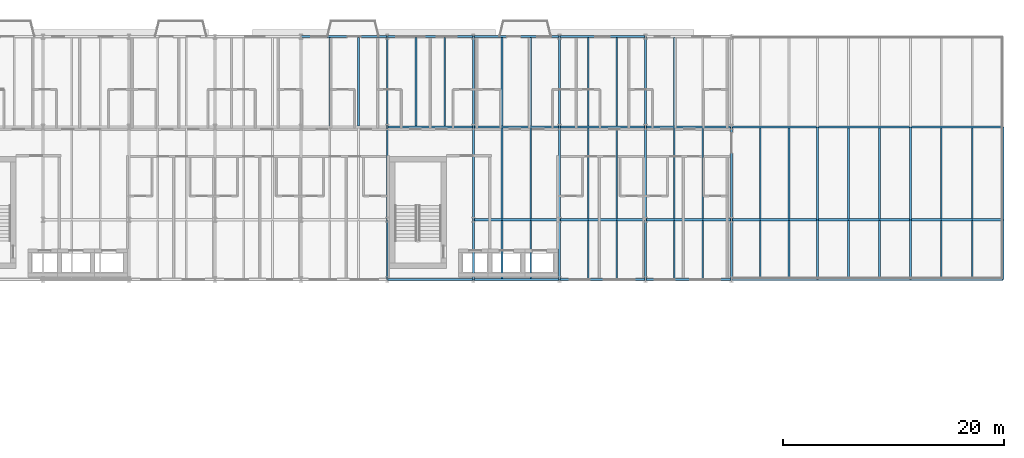
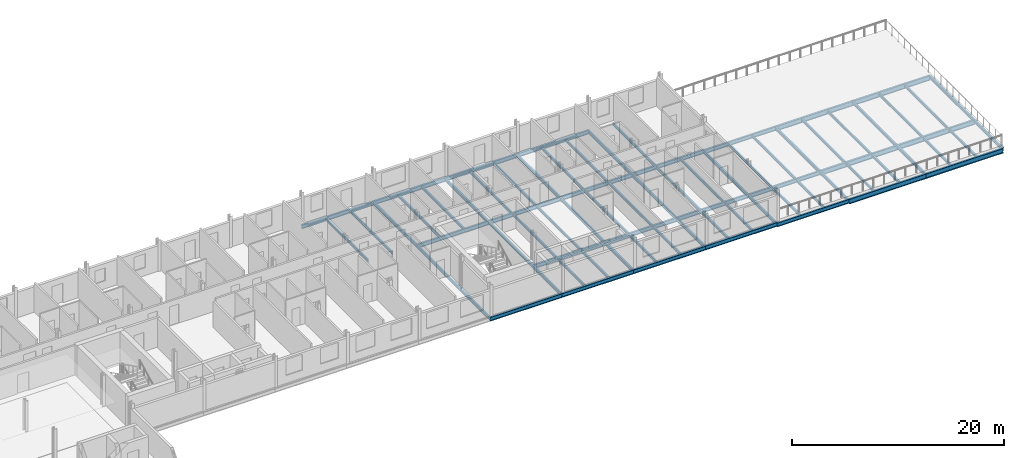
# One storey, part 9 of 30: 77 beams.
"""IFC4 building model written with IfcOpenShell, lengths in metres."""

from ifc_helpers import new_model, si_unit, direction, frame, origin, origin_2d, place, context, subcontext, project, spatial, i_section, extrude, material, material_profile, profile_set, type_object, element, save


model = new_model("IFC4")

# Units and contexts
model_context = context("Model", 3, precision=1e-05, world=origin(), true_north=direction((0.0, 1.0)))
body_context = subcontext(model_context, "Body", "Model", "MODEL_VIEW")
ifc_project = project(units=[si_unit("LENGTHUNIT", "METRE"), si_unit("AREAUNIT", "SQUARE_METRE"), si_unit("VOLUMEUNIT", "CUBIC_METRE"), si_unit("PLANEANGLEUNIT", "RADIAN"), si_unit("MASSUNIT", "GRAM", prefix="KILO")], contexts=[model_context])

# Site, building, storey
site_placement = place(None, origin())
site = spatial("IfcSite", under=ifc_project, at=site_placement, CompositionType="ELEMENT")
building_placement = place(site_placement, origin())
building = spatial("IfcBuilding", under=site, at=building_placement, Name="Sefraquen Railside Congress Hotel", CompositionType="ELEMENT")
storey_placement = place(building_placement, frame((0.0, 0.0, 35.39990234375)))
storey = spatial("IfcBuildingStorey", under=building, at=storey_placement, Name="L08", CompositionType="ELEMENT", Elevation=35.39990234375)

# Beams
ifc_material = material(Name="Steel S355JR", Category="steel")
ifc_material_profile_1 = material_profile(ifc_material, i_section(OverallWidth=0.169921875, OverallDepth=0.360107421875, WebThickness=0.008056640625, FlangeThickness=0.0126953125, FilletRadius=0.01806640625, at=origin_2d()), Name="IPE 360")
ifc_profile_set_1 = profile_set([ifc_material_profile_1], Name="Steel S355JR")
beam_type_1 = type_object("IfcBeamType", Name="TB-BM-360", PredefinedType="BEAM", material=ifc_profile_set_1)
beam_1_placement = place(storey_placement, frame((64.199951171875, 96.0, -0.419921875), z_axis=(0.0, 1.0, 0.0), x_axis=(-1.0, 0.0, 0.0)))
element("IfcBeam", 1, at=beam_1_placement, inside=storey, type_object=beam_type_1, Name="Floor beam BM-L08-1925", PredefinedType="BEAM", context=body_context, shape_type="SweptSolid", body=[
    extrude(i_section(OverallWidth=0.169921875, OverallDepth=0.360107421875, WebThickness=0.008056640625, FlangeThickness=0.0126953125, FilletRadius=0.01806640625, at=origin_2d()), origin(), (0.0, 0.0, 1.0), 5.39990234375),
])
beam_2_placement = place(storey_placement, frame((64.199951171875, 101.39990234375, -0.419921875), z_axis=(0.0, 1.0, 0.0), x_axis=(-1.0, 0.0, 0.0)))
element("IfcBeam", 2, at=beam_2_placement, inside=storey, type_object=beam_type_1, Name="Floor beam BM-L08-1926", PredefinedType="BEAM", context=body_context, shape_type="SweptSolid", body=[
    extrude(i_section(OverallWidth=0.169921875, OverallDepth=0.360107421875, WebThickness=0.008056640625, FlangeThickness=0.0126953125, FilletRadius=0.01806640625, at=origin_2d()), origin(), (0.0, 0.0, 1.0), 8.400146484375),
])
beam_3_placement = place(storey_placement, frame((64.199951171875, 109.800048828125, -0.419921875), z_axis=(0.0, 1.0, 0.0), x_axis=(-1.0, 0.0, 0.0)))
element("IfcBeam", 3, at=beam_3_placement, inside=storey, type_object=beam_type_1, Name="Floor beam BM-L08-1927", PredefinedType="BEAM", context=body_context, shape_type="SweptSolid", body=[
    extrude(i_section(OverallWidth=0.169921875, OverallDepth=0.360107421875, WebThickness=0.008056640625, FlangeThickness=0.0126953125, FilletRadius=0.01806640625, at=origin_2d()), origin(), (0.0, 0.0, 1.0), 8.199951171875),
])
beam_4_placement = place(storey_placement, frame((72.0, 96.0, -0.419921875), z_axis=(0.0, 1.0, 0.0), x_axis=(-1.0, 0.0, 0.0)))
element("IfcBeam", 4, at=beam_4_placement, inside=storey, type_object=beam_type_1, Name="Floor beam BM-L08-1928", PredefinedType="BEAM", context=body_context, shape_type="SweptSolid", body=[
    extrude(i_section(OverallWidth=0.169921875, OverallDepth=0.360107421875, WebThickness=0.008056640625, FlangeThickness=0.0126953125, FilletRadius=0.01806640625, at=origin_2d()), origin(), (0.0, 0.0, 1.0), 5.39990234375),
])
beam_5_placement = place(storey_placement, frame((72.0, 101.39990234375, -0.419921875), z_axis=(0.0, 1.0, 0.0), x_axis=(-1.0, 0.0, 0.0)))
element("IfcBeam", 5, at=beam_5_placement, inside=storey, type_object=beam_type_1, Name="Floor beam BM-L08-1929", PredefinedType="BEAM", context=body_context, shape_type="SweptSolid", body=[
    extrude(i_section(OverallWidth=0.169921875, OverallDepth=0.360107421875, WebThickness=0.008056640625, FlangeThickness=0.0126953125, FilletRadius=0.01806640625, at=origin_2d()), origin(), (0.0, 0.0, 1.0), 8.400146484375),
])
beam_6_placement = place(storey_placement, frame((72.0, 109.800048828125, -0.419921875), z_axis=(0.0, 1.0, 0.0), x_axis=(-1.0, 0.0, 0.0)))
element("IfcBeam", 6, at=beam_6_placement, inside=storey, type_object=beam_type_1, Name="Floor beam BM-L08-1930", PredefinedType="BEAM", context=body_context, shape_type="SweptSolid", body=[
    extrude(i_section(OverallWidth=0.169921875, OverallDepth=0.360107421875, WebThickness=0.008056640625, FlangeThickness=0.0126953125, FilletRadius=0.01806640625, at=origin_2d()), origin(), (0.0, 0.0, 1.0), 8.199951171875),
])
beam_7_placement = place(storey_placement, frame((79.800048828125, 96.0, -0.419921875), z_axis=(0.0, 1.0, 0.0), x_axis=(-1.0, 0.0, 0.0)))
element("IfcBeam", 7, at=beam_7_placement, inside=storey, type_object=beam_type_1, Name="Floor beam BM-L08-1931", PredefinedType="BEAM", context=body_context, shape_type="SweptSolid", body=[
    extrude(i_section(OverallWidth=0.169921875, OverallDepth=0.360107421875, WebThickness=0.008056640625, FlangeThickness=0.0126953125, FilletRadius=0.01806640625, at=origin_2d()), origin(), (0.0, 0.0, 1.0), 5.39990234375),
])
beam_8_placement = place(storey_placement, frame((79.800048828125, 101.39990234375, -0.419921875), z_axis=(0.0, 1.0, 0.0), x_axis=(-1.0, 0.0, 0.0)))
element("IfcBeam", 8, at=beam_8_placement, inside=storey, type_object=beam_type_1, Name="Floor beam BM-L08-1932", PredefinedType="BEAM", context=body_context, shape_type="SweptSolid", body=[
    extrude(i_section(OverallWidth=0.169921875, OverallDepth=0.360107421875, WebThickness=0.008056640625, FlangeThickness=0.0126953125, FilletRadius=0.01806640625, at=origin_2d()), origin(), (0.0, 0.0, 1.0), 8.400146484375),
])
beam_9_placement = place(storey_placement, frame((79.800048828125, 109.800048828125, -0.419921875), z_axis=(0.0, 1.0, 0.0), x_axis=(-1.0, 0.0, 0.0)))
element("IfcBeam", 9, at=beam_9_placement, inside=storey, type_object=beam_type_1, Name="Floor beam BM-L08-1933", PredefinedType="BEAM", context=body_context, shape_type="SweptSolid", body=[
    extrude(i_section(OverallWidth=0.169921875, OverallDepth=0.360107421875, WebThickness=0.008056640625, FlangeThickness=0.0126953125, FilletRadius=0.01806640625, at=origin_2d()), origin(), (0.0, 0.0, 1.0), 8.199951171875),
])
beam_10_placement = place(storey_placement, frame((87.60009765625, 96.0, -0.419921875), z_axis=(0.0, 1.0, 0.0), x_axis=(-1.0, 0.0, 0.0)))
element("IfcBeam", 10, at=beam_10_placement, inside=storey, type_object=beam_type_1, Name="Floor beam BM-L08-1934", PredefinedType="BEAM", context=body_context, shape_type="SweptSolid", body=[
    extrude(i_section(OverallWidth=0.169921875, OverallDepth=0.360107421875, WebThickness=0.008056640625, FlangeThickness=0.0126953125, FilletRadius=0.01806640625, at=origin_2d()), origin(), (0.0, 0.0, 1.0), 5.39990234375),
])
beam_11_placement = place(storey_placement, frame((87.60009765625, 101.39990234375, -0.419921875), z_axis=(0.0, 1.0, 0.0), x_axis=(-1.0, 0.0, 0.0)))
element("IfcBeam", 11, at=beam_11_placement, inside=storey, type_object=beam_type_1, Name="Floor beam BM-L08-1935", PredefinedType="BEAM", context=body_context, shape_type="SweptSolid", body=[
    extrude(i_section(OverallWidth=0.169921875, OverallDepth=0.360107421875, WebThickness=0.008056640625, FlangeThickness=0.0126953125, FilletRadius=0.01806640625, at=origin_2d()), origin(), (0.0, 0.0, 1.0), 8.400146484375),
])
beam_12_placement = place(storey_placement, frame((87.60009765625, 109.800048828125, -0.419921875), z_axis=(0.0, 1.0, 0.0), x_axis=(-1.0, 0.0, 0.0)))
element("IfcBeam", 12, at=beam_12_placement, inside=storey, type_object=beam_type_1, Name="Floor beam BM-L08-1936", PredefinedType="BEAM", context=body_context, shape_type="SweptSolid", body=[
    extrude(i_section(OverallWidth=0.169921875, OverallDepth=0.360107421875, WebThickness=0.008056640625, FlangeThickness=0.0126953125, FilletRadius=0.01806640625, at=origin_2d()), origin(), (0.0, 0.0, 1.0), 8.199951171875),
])
beam_13_placement = place(storey_placement, frame((95.39990234375, 96.0, -0.5), z_axis=(0.0, 1.0, 0.0), x_axis=(-1.0, 0.0, 0.0)))
element("IfcBeam", 13, at=beam_13_placement, inside=storey, type_object=beam_type_1, Name="Floor beam BM-L08-1937", PredefinedType="BEAM", context=body_context, shape_type="SweptSolid", body=[
    extrude(i_section(OverallWidth=0.169921875, OverallDepth=0.360107421875, WebThickness=0.008056640625, FlangeThickness=0.0126953125, FilletRadius=0.01806640625, at=origin_2d()), origin(), (0.0, 0.0, 1.0), 5.39990234375),
])
beam_14_placement = place(storey_placement, frame((95.39990234375, 101.39990234375, -0.5), z_axis=(0.0, 1.0, 0.0), x_axis=(-1.0, 0.0, 0.0)))
element("IfcBeam", 14, at=beam_14_placement, inside=storey, type_object=beam_type_1, Name="Floor beam BM-L08-1938", PredefinedType="BEAM", context=body_context, shape_type="SweptSolid", body=[
    extrude(i_section(OverallWidth=0.169921875, OverallDepth=0.360107421875, WebThickness=0.008056640625, FlangeThickness=0.0126953125, FilletRadius=0.01806640625, at=origin_2d()), origin(), (0.0, 0.0, 1.0), 8.400146484375),
])
beam_15_placement = place(storey_placement, frame((103.199951171875, 96.0, -0.5), z_axis=(0.0, 1.0, 0.0), x_axis=(-1.0, 0.0, 0.0)))
element("IfcBeam", 15, at=beam_15_placement, inside=storey, type_object=beam_type_1, Name="Floor beam BM-L08-1940", PredefinedType="BEAM", context=body_context, shape_type="SweptSolid", body=[
    extrude(i_section(OverallWidth=0.169921875, OverallDepth=0.360107421875, WebThickness=0.008056640625, FlangeThickness=0.0126953125, FilletRadius=0.01806640625, at=origin_2d()), origin(), (0.0, 0.0, 1.0), 5.39990234375),
])
beam_16_placement = place(storey_placement, frame((103.199951171875, 101.39990234375, -0.5), z_axis=(0.0, 1.0, 0.0), x_axis=(-1.0, 0.0, 0.0)))
element("IfcBeam", 16, at=beam_16_placement, inside=storey, type_object=beam_type_1, Name="Floor beam BM-L08-1941", PredefinedType="BEAM", context=body_context, shape_type="SweptSolid", body=[
    extrude(i_section(OverallWidth=0.169921875, OverallDepth=0.360107421875, WebThickness=0.008056640625, FlangeThickness=0.0126953125, FilletRadius=0.01806640625, at=origin_2d()), origin(), (0.0, 0.0, 1.0), 8.400146484375),
])
beam_17_placement = place(storey_placement, frame((111.60009765625, 96.0, -0.5), z_axis=(0.0, 1.0, 0.0), x_axis=(-1.0, 0.0, 0.0)))
element("IfcBeam", 17, at=beam_17_placement, inside=storey, type_object=beam_type_1, Name="Floor beam BM-L08-1943", PredefinedType="BEAM", context=body_context, shape_type="SweptSolid", body=[
    extrude(i_section(OverallWidth=0.169921875, OverallDepth=0.360107421875, WebThickness=0.008056640625, FlangeThickness=0.0126953125, FilletRadius=0.01806640625, at=origin_2d()), origin(), (0.0, 0.0, 1.0), 5.39990234375),
])
beam_18_placement = place(storey_placement, frame((111.60009765625, 101.39990234375, -0.5), z_axis=(0.0, 1.0, 0.0), x_axis=(-1.0, 0.0, 0.0)))
element("IfcBeam", 18, at=beam_18_placement, inside=storey, type_object=beam_type_1, Name="Floor beam BM-L08-1944", PredefinedType="BEAM", context=body_context, shape_type="SweptSolid", body=[
    extrude(i_section(OverallWidth=0.169921875, OverallDepth=0.360107421875, WebThickness=0.008056640625, FlangeThickness=0.0126953125, FilletRadius=0.01806640625, at=origin_2d()), origin(), (0.0, 0.0, 1.0), 8.400146484375),
])
beam_19_placement = place(storey_placement, frame((120.0, 96.0, -0.5), z_axis=(0.0, 1.0, 0.0), x_axis=(-1.0, 0.0, 0.0)))
element("IfcBeam", 19, at=beam_19_placement, inside=storey, type_object=beam_type_1, Name="Floor beam BM-L08-1946", PredefinedType="BEAM", context=body_context, shape_type="SweptSolid", body=[
    extrude(i_section(OverallWidth=0.169921875, OverallDepth=0.360107421875, WebThickness=0.008056640625, FlangeThickness=0.0126953125, FilletRadius=0.01806640625, at=origin_2d()), origin(), (0.0, 0.0, 1.0), 5.39990234375),
])
beam_20_placement = place(storey_placement, frame((120.0, 101.39990234375, -0.5), z_axis=(0.0, 1.0, 0.0), x_axis=(-1.0, 0.0, 0.0)))
element("IfcBeam", 20, at=beam_20_placement, inside=storey, type_object=beam_type_1, Name="Floor beam BM-L08-1947", PredefinedType="BEAM", context=body_context, shape_type="SweptSolid", body=[
    extrude(i_section(OverallWidth=0.169921875, OverallDepth=0.360107421875, WebThickness=0.008056640625, FlangeThickness=0.0126953125, FilletRadius=0.01806640625, at=origin_2d()), origin(), (0.0, 0.0, 1.0), 8.400146484375),
])
ifc_material_profile_2 = material_profile(ifc_material, i_section(OverallWidth=0.18994140625, OverallDepth=0.449951171875, WebThickness=0.009521484375, FlangeThickness=0.0146484375, FilletRadius=0.02099609375, at=origin_2d()), Name="IPE 450")
ifc_profile_set_2 = profile_set([ifc_material_profile_2], Name="Steel S355JR")
beam_type_2 = type_object("IfcBeamType", Name="TB-BM-450", PredefinedType="BEAM", material=ifc_profile_set_2)
for number, where, z_axis, x_axis, name in (
    (21, (64.199951171875, 96.0, -0.46484375), (1.0, 0.0, 0.0), (0.0, 1.0, 0.0), "Primary girder BM-L08-1846"),
    (22, (72.0, 96.0, -0.46484375), (1.0, 0.0, 0.0), (0.0, 1.0, 0.0), "Primary girder BM-L08-1847"),
    (23, (79.800048828125, 96.0, -0.46484375), (1.0, 0.0, 0.0), (0.0, 1.0, 0.0), "Primary girder BM-L08-1848"),
):
    element("IfcBeam", number, at=place(storey_placement, frame(where, z_axis=z_axis, x_axis=x_axis)), inside=storey, type_object=beam_type_2, Name=name, PredefinedType="BEAM", context=body_context, shape_type="SweptSolid", body=[
        extrude(i_section(OverallWidth=0.18994140625, OverallDepth=0.449951171875, WebThickness=0.009521484375, FlangeThickness=0.0146484375, FilletRadius=0.02099609375, at=origin_2d()), origin(), (0.0, 0.0, 1.0), 7.800048828125),
    ])
beam_21_placement = place(storey_placement, frame((87.60009765625, 96.0, -0.46484375), z_axis=(1.0, 0.0, 0.0), x_axis=(0.0, 1.0, 0.0)))
element("IfcBeam", 24, at=beam_21_placement, inside=storey, type_object=beam_type_2, Name="Primary girder BM-L08-1849", PredefinedType="BEAM", context=body_context, shape_type="SweptSolid", body=[
    extrude(i_section(OverallWidth=0.18994140625, OverallDepth=0.449951171875, WebThickness=0.009521484375, FlangeThickness=0.0146484375, FilletRadius=0.02099609375, at=origin_2d()), origin(), (0.0, 0.0, 1.0), 7.7998046875),
])
for number, where, z_axis, x_axis, name in (
    (25, (95.39990234375, 96.0, -0.544921875), (1.0, 0.0, 0.0), (0.0, 1.0, 0.0), "Primary girder BM-L08-1850"),
    (26, (72.0, 101.39990234375, -0.46484375), (1.0, 0.0, 0.0), (0.0, 1.0, 0.0), "Primary girder BM-L08-1859"),
    (27, (79.800048828125, 101.39990234375, -0.46484375), (1.0, 0.0, 0.0), (0.0, 1.0, 0.0), "Primary girder BM-L08-1860"),
):
    element("IfcBeam", number, at=place(storey_placement, frame(where, z_axis=z_axis, x_axis=x_axis)), inside=storey, type_object=beam_type_2, Name=name, PredefinedType="BEAM", context=body_context, shape_type="SweptSolid", body=[
        extrude(i_section(OverallWidth=0.18994140625, OverallDepth=0.449951171875, WebThickness=0.009521484375, FlangeThickness=0.0146484375, FilletRadius=0.02099609375, at=origin_2d()), origin(), (0.0, 0.0, 1.0), 7.800048828125),
    ])
beam_22_placement = place(storey_placement, frame((87.60009765625, 101.39990234375, -0.46484375), z_axis=(1.0, 0.0, 0.0), x_axis=(0.0, 1.0, 0.0)))
element("IfcBeam", 28, at=beam_22_placement, inside=storey, type_object=beam_type_2, Name="Primary girder BM-L08-1861", PredefinedType="BEAM", context=body_context, shape_type="SweptSolid", body=[
    extrude(i_section(OverallWidth=0.18994140625, OverallDepth=0.449951171875, WebThickness=0.009521484375, FlangeThickness=0.0146484375, FilletRadius=0.02099609375, at=origin_2d()), origin(), (0.0, 0.0, 1.0), 7.7998046875),
])
for number, where, z_axis, x_axis, name in (
    (29, (95.39990234375, 101.39990234375, -0.544921875), (1.0, 0.0, 0.0), (0.0, 1.0, 0.0), "Primary girder BM-L08-1862"),
    (30, (64.199951171875, 109.800048828125, -0.46484375), (1.0, 0.0, 0.0), (0.0, 1.0, 0.0), "Primary girder BM-L08-1872"),
    (31, (72.0, 109.800048828125, -0.46484375), (1.0, 0.0, 0.0), (0.0, 1.0, 0.0), "Primary girder BM-L08-1873"),
    (32, (79.800048828125, 109.800048828125, -0.46484375), (1.0, 0.0, 0.0), (0.0, 1.0, 0.0), "Primary girder BM-L08-1874"),
):
    element("IfcBeam", number, at=place(storey_placement, frame(where, z_axis=z_axis, x_axis=x_axis)), inside=storey, type_object=beam_type_2, Name=name, PredefinedType="BEAM", context=body_context, shape_type="SweptSolid", body=[
        extrude(i_section(OverallWidth=0.18994140625, OverallDepth=0.449951171875, WebThickness=0.009521484375, FlangeThickness=0.0146484375, FilletRadius=0.02099609375, at=origin_2d()), origin(), (0.0, 0.0, 1.0), 7.800048828125),
    ])
beam_23_placement = place(storey_placement, frame((87.60009765625, 109.800048828125, -0.46484375), z_axis=(1.0, 0.0, 0.0), x_axis=(0.0, 1.0, 0.0)))
element("IfcBeam", 33, at=beam_23_placement, inside=storey, type_object=beam_type_2, Name="Primary girder BM-L08-1875", PredefinedType="BEAM", context=body_context, shape_type="SweptSolid", body=[
    extrude(i_section(OverallWidth=0.18994140625, OverallDepth=0.449951171875, WebThickness=0.009521484375, FlangeThickness=0.0146484375, FilletRadius=0.02099609375, at=origin_2d()), origin(), (0.0, 0.0, 1.0), 7.7998046875),
])
for number, where, z_axis, x_axis, name in (
    (34, (95.39990234375, 109.800048828125, -0.544921875), (1.0, 0.0, 0.0), (0.0, 1.0, 0.0), "Primary girder BM-L08-1876"),
    (35, (56.39990234375, 118.0, -0.46484375), (1.0, 0.0, 0.0), (0.0, 1.0, 0.0), "Primary girder BM-L08-1883"),
    (36, (64.199951171875, 118.0, -0.46484375), (1.0, 0.0, 0.0), (0.0, 1.0, 0.0), "Primary girder BM-L08-1884"),
    (37, (72.0, 118.0, -0.46484375), (1.0, 0.0, 0.0), (0.0, 1.0, 0.0), "Primary girder BM-L08-1885"),
    (38, (79.800048828125, 118.0, -0.46484375), (1.0, 0.0, 0.0), (0.0, 1.0, 0.0), "Primary girder BM-L08-1886"),
):
    element("IfcBeam", number, at=place(storey_placement, frame(where, z_axis=z_axis, x_axis=x_axis)), inside=storey, type_object=beam_type_2, Name=name, PredefinedType="BEAM", context=body_context, shape_type="SweptSolid", body=[
        extrude(i_section(OverallWidth=0.18994140625, OverallDepth=0.449951171875, WebThickness=0.009521484375, FlangeThickness=0.0146484375, FilletRadius=0.02099609375, at=origin_2d()), origin(), (0.0, 0.0, 1.0), 7.800048828125),
    ])
ifc_material_profile_3 = material_profile(ifc_material, i_section(OverallWidth=0.2099609375, OverallDepth=0.550048828125, WebThickness=0.010986328125, FlangeThickness=0.01708984375, FilletRadius=0.02392578125, at=origin_2d()), Name="IPE 550")
ifc_profile_set_3 = profile_set([ifc_material_profile_3], Name="Steel S355JR")
beam_type_3 = type_object("IfcBeamType", Name="TB-GIR-550", PredefinedType="T_BEAM", material=ifc_profile_set_3)
beam_24_placement = place(storey_placement, frame((103.199951171875, 96.0, -0.594970703125), z_axis=(1.0, 0.0, 0.0), x_axis=(0.0, 1.0, 0.0)))
element("IfcBeam", 39, at=beam_24_placement, inside=storey, type_object=beam_type_3, Name="Primary girder BM-L08-1851", PredefinedType="T_BEAM", context=body_context, shape_type="SweptSolid", body=[
    extrude(i_section(OverallWidth=0.2099609375, OverallDepth=0.550048828125, WebThickness=0.010986328125, FlangeThickness=0.01708984375, FilletRadius=0.02392578125, at=origin_2d()), origin(), (0.0, 0.0, 1.0), 8.400146484375),
])
beam_25_placement = place(storey_placement, frame((111.60009765625, 96.0, -0.594970703125), z_axis=(1.0, 0.0, 0.0), x_axis=(0.0, 1.0, 0.0)))
element("IfcBeam", 40, at=beam_25_placement, inside=storey, type_object=beam_type_3, Name="Primary girder BM-L08-1852", PredefinedType="T_BEAM", context=body_context, shape_type="SweptSolid", body=[
    extrude(i_section(OverallWidth=0.2099609375, OverallDepth=0.550048828125, WebThickness=0.010986328125, FlangeThickness=0.01708984375, FilletRadius=0.02392578125, at=origin_2d()), origin(), (0.0, 0.0, 1.0), 8.39990234375),
])
beam_26_placement = place(storey_placement, frame((103.199951171875, 101.39990234375, -0.594970703125), z_axis=(1.0, 0.0, 0.0), x_axis=(0.0, 1.0, 0.0)))
element("IfcBeam", 41, at=beam_26_placement, inside=storey, type_object=beam_type_3, Name="Primary girder BM-L08-1863", PredefinedType="T_BEAM", context=body_context, shape_type="SweptSolid", body=[
    extrude(i_section(OverallWidth=0.2099609375, OverallDepth=0.550048828125, WebThickness=0.010986328125, FlangeThickness=0.01708984375, FilletRadius=0.02392578125, at=origin_2d()), origin(), (0.0, 0.0, 1.0), 8.400146484375),
])
beam_27_placement = place(storey_placement, frame((111.60009765625, 101.39990234375, -0.594970703125), z_axis=(1.0, 0.0, 0.0), x_axis=(0.0, 1.0, 0.0)))
element("IfcBeam", 42, at=beam_27_placement, inside=storey, type_object=beam_type_3, Name="Primary girder BM-L08-1864", PredefinedType="T_BEAM", context=body_context, shape_type="SweptSolid", body=[
    extrude(i_section(OverallWidth=0.2099609375, OverallDepth=0.550048828125, WebThickness=0.010986328125, FlangeThickness=0.01708984375, FilletRadius=0.02392578125, at=origin_2d()), origin(), (0.0, 0.0, 1.0), 8.39990234375),
])
beam_28_placement = place(storey_placement, frame((103.199951171875, 109.800048828125, -0.594970703125), z_axis=(1.0, 0.0, 0.0), x_axis=(0.0, 1.0, 0.0)))
element("IfcBeam", 43, at=beam_28_placement, inside=storey, type_object=beam_type_3, Name="Primary girder BM-L08-1877", PredefinedType="T_BEAM", context=body_context, shape_type="SweptSolid", body=[
    extrude(i_section(OverallWidth=0.2099609375, OverallDepth=0.550048828125, WebThickness=0.010986328125, FlangeThickness=0.01708984375, FilletRadius=0.02392578125, at=origin_2d()), origin(), (0.0, 0.0, 1.0), 8.400146484375),
])
beam_29_placement = place(storey_placement, frame((111.60009765625, 109.800048828125, -0.594970703125), z_axis=(1.0, 0.0, 0.0), x_axis=(0.0, 1.0, 0.0)))
element("IfcBeam", 44, at=beam_29_placement, inside=storey, type_object=beam_type_3, Name="Primary girder BM-L08-1878", PredefinedType="T_BEAM", context=body_context, shape_type="SweptSolid", body=[
    extrude(i_section(OverallWidth=0.2099609375, OverallDepth=0.550048828125, WebThickness=0.010986328125, FlangeThickness=0.01708984375, FilletRadius=0.02392578125, at=origin_2d()), origin(), (0.0, 0.0, 1.0), 8.39990234375),
])
ifc_material_profile_4 = material_profile(ifc_material, i_section(OverallWidth=0.14990234375, OverallDepth=0.300048828125, WebThickness=0.007080078125, FlangeThickness=0.0107421875, FilletRadius=0.014892578125, at=origin_2d()), Name="IPE 300")
ifc_profile_set_4 = profile_set([ifc_material_profile_4], Name="Steel S355JR")
beam_type_4 = type_object("IfcBeamType", Name="TB-JST-300", PredefinedType="JOIST", material=ifc_profile_set_4)
for number, where, z_axis, x_axis, name in (
    (45, (59.0, 109.875, -0.389892578125), (0.0, 1.0, 0.0), (-1.0, 0.0, 0.0), "Composite floor joist BM-L08-J1284"),
    (46, (61.60009765625, 109.875, -0.389892578125), (0.0, 1.0, 0.0), (-1.0, 0.0, 0.0), "Composite floor joist BM-L08-J1285"),
    (47, (66.800048828125, 109.875, -0.389892578125), (0.0, 1.0, 0.0), (-1.0, 0.0, 0.0), "Composite floor joist BM-L08-J1286"),
    (48, (69.39990234375, 109.875, -0.389892578125), (0.0, 1.0, 0.0), (-1.0, 0.0, 0.0), "Composite floor joist BM-L08-J1287"),
):
    element("IfcBeam", number, at=place(storey_placement, frame(where, z_axis=z_axis, x_axis=x_axis)), inside=storey, type_object=beam_type_4, Name=name, PredefinedType="JOIST", context=body_context, shape_type="SweptSolid", body=[
        extrude(i_section(OverallWidth=0.14990234375, OverallDepth=0.300048828125, WebThickness=0.007080078125, FlangeThickness=0.0107421875, FilletRadius=0.014892578125, at=origin_2d()), origin(), (0.0, 0.0, 1.0), 8.050048828125),
    ])
for number, where, z_axis, x_axis, name in (
    (49, (74.60009765625, 96.074951171875, -0.389892578125), (0.0, 1.0, 0.0), (-1.0, 0.0, 0.0), "Composite floor joist BM-L08-J1288"),
    (50, (77.199951171875, 96.074951171875, -0.389892578125), (0.0, 1.0, 0.0), (-1.0, 0.0, 0.0), "Composite floor joist BM-L08-J1289"),
):
    element("IfcBeam", number, at=place(storey_placement, frame(where, z_axis=z_axis, x_axis=x_axis)), inside=storey, type_object=beam_type_4, Name=name, PredefinedType="JOIST", context=body_context, shape_type="SweptSolid", body=[
        extrude(i_section(OverallWidth=0.14990234375, OverallDepth=0.300048828125, WebThickness=0.007080078125, FlangeThickness=0.0107421875, FilletRadius=0.014892578125, at=origin_2d()), origin(), (0.0, 0.0, 1.0), 5.25),
    ])
for number, where, z_axis, x_axis, name in (
    (51, (74.60009765625, 101.47509765625, -0.389892578125), (0.0, 1.0, 0.0), (-1.0, 0.0, 0.0), "Composite floor joist BM-L08-J1290"),
    (52, (77.199951171875, 101.47509765625, -0.389892578125), (0.0, 1.0, 0.0), (-1.0, 0.0, 0.0), "Composite floor joist BM-L08-J1291"),
):
    element("IfcBeam", number, at=place(storey_placement, frame(where, z_axis=z_axis, x_axis=x_axis)), inside=storey, type_object=beam_type_4, Name=name, PredefinedType="JOIST", context=body_context, shape_type="SweptSolid", body=[
        extrude(i_section(OverallWidth=0.14990234375, OverallDepth=0.300048828125, WebThickness=0.007080078125, FlangeThickness=0.0107421875, FilletRadius=0.014892578125, at=origin_2d()), origin(), (0.0, 0.0, 1.0), 8.25),
    ])
for number, where, z_axis, x_axis, name in (
    (53, (74.60009765625, 109.875, -0.389892578125), (0.0, 1.0, 0.0), (-1.0, 0.0, 0.0), "Composite floor joist BM-L08-J1292"),
    (54, (77.199951171875, 109.875, -0.389892578125), (0.0, 1.0, 0.0), (-1.0, 0.0, 0.0), "Composite floor joist BM-L08-J1293"),
):
    element("IfcBeam", number, at=place(storey_placement, frame(where, z_axis=z_axis, x_axis=x_axis)), inside=storey, type_object=beam_type_4, Name=name, PredefinedType="JOIST", context=body_context, shape_type="SweptSolid", body=[
        extrude(i_section(OverallWidth=0.14990234375, OverallDepth=0.300048828125, WebThickness=0.007080078125, FlangeThickness=0.0107421875, FilletRadius=0.014892578125, at=origin_2d()), origin(), (0.0, 0.0, 1.0), 8.050048828125),
    ])
for number, where, z_axis, x_axis, name in (
    (55, (82.39990234375, 96.074951171875, -0.389892578125), (0.0, 1.0, 0.0), (-1.0, 0.0, 0.0), "Composite floor joist BM-L08-J1294"),
    (56, (85.0, 96.074951171875, -0.389892578125), (0.0, 1.0, 0.0), (-1.0, 0.0, 0.0), "Composite floor joist BM-L08-J1295"),
):
    element("IfcBeam", number, at=place(storey_placement, frame(where, z_axis=z_axis, x_axis=x_axis)), inside=storey, type_object=beam_type_4, Name=name, PredefinedType="JOIST", context=body_context, shape_type="SweptSolid", body=[
        extrude(i_section(OverallWidth=0.14990234375, OverallDepth=0.300048828125, WebThickness=0.007080078125, FlangeThickness=0.0107421875, FilletRadius=0.014892578125, at=origin_2d()), origin(), (0.0, 0.0, 1.0), 5.25),
    ])
for number, where, z_axis, x_axis, name in (
    (57, (82.39990234375, 101.47509765625, -0.389892578125), (0.0, 1.0, 0.0), (-1.0, 0.0, 0.0), "Composite floor joist BM-L08-J1296"),
    (58, (85.0, 101.47509765625, -0.389892578125), (0.0, 1.0, 0.0), (-1.0, 0.0, 0.0), "Composite floor joist BM-L08-J1297"),
):
    element("IfcBeam", number, at=place(storey_placement, frame(where, z_axis=z_axis, x_axis=x_axis)), inside=storey, type_object=beam_type_4, Name=name, PredefinedType="JOIST", context=body_context, shape_type="SweptSolid", body=[
        extrude(i_section(OverallWidth=0.14990234375, OverallDepth=0.300048828125, WebThickness=0.007080078125, FlangeThickness=0.0107421875, FilletRadius=0.014892578125, at=origin_2d()), origin(), (0.0, 0.0, 1.0), 8.25),
    ])
for number, where, z_axis, x_axis, name in (
    (59, (82.39990234375, 109.875, -0.389892578125), (0.0, 1.0, 0.0), (-1.0, 0.0, 0.0), "Composite floor joist BM-L08-J1298"),
    (60, (85.0, 109.875, -0.389892578125), (0.0, 1.0, 0.0), (-1.0, 0.0, 0.0), "Composite floor joist BM-L08-J1299"),
):
    element("IfcBeam", number, at=place(storey_placement, frame(where, z_axis=z_axis, x_axis=x_axis)), inside=storey, type_object=beam_type_4, Name=name, PredefinedType="JOIST", context=body_context, shape_type="SweptSolid", body=[
        extrude(i_section(OverallWidth=0.14990234375, OverallDepth=0.300048828125, WebThickness=0.007080078125, FlangeThickness=0.0107421875, FilletRadius=0.014892578125, at=origin_2d()), origin(), (0.0, 0.0, 1.0), 8.050048828125),
    ])
for number, where, z_axis, x_axis, name in (
    (61, (90.199951171875, 96.074951171875, -0.389892578125), (0.0, 1.0, 0.0), (-1.0, 0.0, 0.0), "Composite floor joist BM-L08-J1300"),
    (62, (92.800048828125, 96.074951171875, -0.389892578125), (0.0, 1.0, 0.0), (-1.0, 0.0, 0.0), "Composite floor joist BM-L08-J1301"),
):
    element("IfcBeam", number, at=place(storey_placement, frame(where, z_axis=z_axis, x_axis=x_axis)), inside=storey, type_object=beam_type_4, Name=name, PredefinedType="JOIST", context=body_context, shape_type="SweptSolid", body=[
        extrude(i_section(OverallWidth=0.14990234375, OverallDepth=0.300048828125, WebThickness=0.007080078125, FlangeThickness=0.0107421875, FilletRadius=0.014892578125, at=origin_2d()), origin(), (0.0, 0.0, 1.0), 5.25),
    ])
for number, where, z_axis, x_axis, name in (
    (63, (90.199951171875, 101.47509765625, -0.389892578125), (0.0, 1.0, 0.0), (-1.0, 0.0, 0.0), "Composite floor joist BM-L08-J1302"),
    (64, (92.800048828125, 101.47509765625, -0.389892578125), (0.0, 1.0, 0.0), (-1.0, 0.0, 0.0), "Composite floor joist BM-L08-J1303"),
):
    element("IfcBeam", number, at=place(storey_placement, frame(where, z_axis=z_axis, x_axis=x_axis)), inside=storey, type_object=beam_type_4, Name=name, PredefinedType="JOIST", context=body_context, shape_type="SweptSolid", body=[
        extrude(i_section(OverallWidth=0.14990234375, OverallDepth=0.300048828125, WebThickness=0.007080078125, FlangeThickness=0.0107421875, FilletRadius=0.014892578125, at=origin_2d()), origin(), (0.0, 0.0, 1.0), 8.25),
    ])
beam_30_placement = place(storey_placement, frame((90.199951171875, 109.875, -0.389892578125), z_axis=(0.0, 1.0, 0.0), x_axis=(-1.0, 0.0, 0.0)))
element("IfcBeam", 65, at=beam_30_placement, inside=storey, type_object=beam_type_4, Name="Composite floor joist BM-L08-J1304", PredefinedType="JOIST", context=body_context, shape_type="SweptSolid", body=[
    extrude(i_section(OverallWidth=0.14990234375, OverallDepth=0.300048828125, WebThickness=0.007080078125, FlangeThickness=0.0107421875, FilletRadius=0.014892578125, at=origin_2d()), origin(), (0.0, 0.0, 1.0), 8.050048828125),
])
for number, where, z_axis, x_axis, name in (
    (66, (98.0, 96.074951171875, -0.469970703125), (0.0, 1.0, 0.0), (-1.0, 0.0, 0.0), "Composite floor joist BM-L08-J1306"),
    (67, (100.60009765625, 96.074951171875, -0.469970703125), (0.0, 1.0, 0.0), (-1.0, 0.0, 0.0), "Composite floor joist BM-L08-J1307"),
):
    element("IfcBeam", number, at=place(storey_placement, frame(where, z_axis=z_axis, x_axis=x_axis)), inside=storey, type_object=beam_type_4, Name=name, PredefinedType="JOIST", context=body_context, shape_type="SweptSolid", body=[
        extrude(i_section(OverallWidth=0.14990234375, OverallDepth=0.300048828125, WebThickness=0.007080078125, FlangeThickness=0.0107421875, FilletRadius=0.014892578125, at=origin_2d()), origin(), (0.0, 0.0, 1.0), 5.25),
    ])
for number, where, z_axis, x_axis, name in (
    (68, (98.0, 101.47509765625, -0.469970703125), (0.0, 1.0, 0.0), (-1.0, 0.0, 0.0), "Composite floor joist BM-L08-J1308"),
    (69, (100.60009765625, 101.47509765625, -0.469970703125), (0.0, 1.0, 0.0), (-1.0, 0.0, 0.0), "Composite floor joist BM-L08-J1309"),
):
    element("IfcBeam", number, at=place(storey_placement, frame(where, z_axis=z_axis, x_axis=x_axis)), inside=storey, type_object=beam_type_4, Name=name, PredefinedType="JOIST", context=body_context, shape_type="SweptSolid", body=[
        extrude(i_section(OverallWidth=0.14990234375, OverallDepth=0.300048828125, WebThickness=0.007080078125, FlangeThickness=0.0107421875, FilletRadius=0.014892578125, at=origin_2d()), origin(), (0.0, 0.0, 1.0), 8.25),
    ])
for number, where, z_axis, x_axis, name in (
    (70, (106.0, 96.0849609375, -0.469970703125), (0.0, 1.0, 0.0), (-1.0, 0.0, 0.0), "Composite floor joist BM-L08-J1312"),
    (71, (108.800048828125, 96.0849609375, -0.469970703125), (0.0, 1.0, 0.0), (-1.0, 0.0, 0.0), "Composite floor joist BM-L08-J1313"),
):
    element("IfcBeam", number, at=place(storey_placement, frame(where, z_axis=z_axis, x_axis=x_axis)), inside=storey, type_object=beam_type_4, Name=name, PredefinedType="JOIST", context=body_context, shape_type="SweptSolid", body=[
        extrude(i_section(OverallWidth=0.14990234375, OverallDepth=0.300048828125, WebThickness=0.007080078125, FlangeThickness=0.0107421875, FilletRadius=0.014892578125, at=origin_2d()), origin(), (0.0, 0.0, 1.0), 5.22998046875),
    ])
for number, where, z_axis, x_axis, name in (
    (72, (106.0, 101.485107421875, -0.469970703125), (0.0, 1.0, 0.0), (-1.0, 0.0, 0.0), "Composite floor joist BM-L08-J1314"),
    (73, (108.800048828125, 101.485107421875, -0.469970703125), (0.0, 1.0, 0.0), (-1.0, 0.0, 0.0), "Composite floor joist BM-L08-J1315"),
):
    element("IfcBeam", number, at=place(storey_placement, frame(where, z_axis=z_axis, x_axis=x_axis)), inside=storey, type_object=beam_type_4, Name=name, PredefinedType="JOIST", context=body_context, shape_type="SweptSolid", body=[
        extrude(i_section(OverallWidth=0.14990234375, OverallDepth=0.300048828125, WebThickness=0.007080078125, FlangeThickness=0.0107421875, FilletRadius=0.014892578125, at=origin_2d()), origin(), (0.0, 0.0, 1.0), 8.22998046875),
    ])
for number, where, z_axis, x_axis, name in (
    (74, (114.39990234375, 96.0849609375, -0.469970703125), (0.0, 1.0, 0.0), (-1.0, 0.0, 0.0), "Composite floor joist BM-L08-J1318"),
    (75, (117.199951171875, 96.0849609375, -0.469970703125), (0.0, 1.0, 0.0), (-1.0, 0.0, 0.0), "Composite floor joist BM-L08-J1319"),
):
    element("IfcBeam", number, at=place(storey_placement, frame(where, z_axis=z_axis, x_axis=x_axis)), inside=storey, type_object=beam_type_4, Name=name, PredefinedType="JOIST", context=body_context, shape_type="SweptSolid", body=[
        extrude(i_section(OverallWidth=0.14990234375, OverallDepth=0.300048828125, WebThickness=0.007080078125, FlangeThickness=0.0107421875, FilletRadius=0.014892578125, at=origin_2d()), origin(), (0.0, 0.0, 1.0), 5.22998046875),
    ])
for number, where, z_axis, x_axis, name in (
    (76, (114.39990234375, 101.485107421875, -0.469970703125), (0.0, 1.0, 0.0), (-1.0, 0.0, 0.0), "Composite floor joist BM-L08-J1320"),
    (77, (117.199951171875, 101.485107421875, -0.469970703125), (0.0, 1.0, 0.0), (-1.0, 0.0, 0.0), "Composite floor joist BM-L08-J1321"),
):
    element("IfcBeam", number, at=place(storey_placement, frame(where, z_axis=z_axis, x_axis=x_axis)), inside=storey, type_object=beam_type_4, Name=name, PredefinedType="JOIST", context=body_context, shape_type="SweptSolid", body=[
        extrude(i_section(OverallWidth=0.14990234375, OverallDepth=0.300048828125, WebThickness=0.007080078125, FlangeThickness=0.0107421875, FilletRadius=0.014892578125, at=origin_2d()), origin(), (0.0, 0.0, 1.0), 8.22998046875),
    ])

save(model, "model.ifc")
